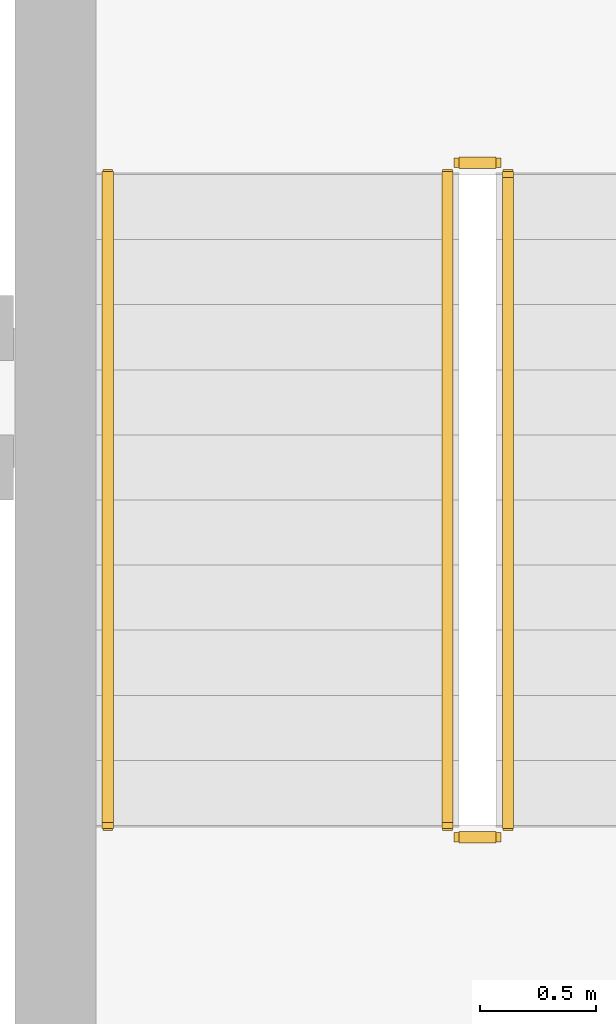
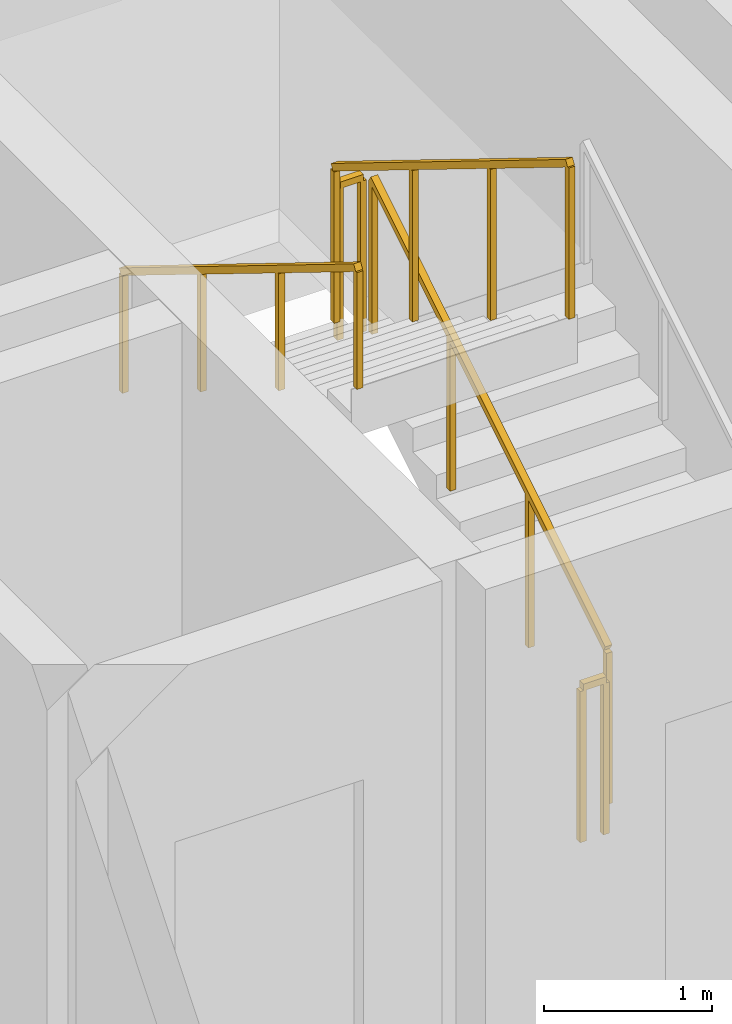
# One storey, part 14 of 15: 5 railings.
"""IFC4 building model written with IfcOpenShell, lengths in metres."""

from ifc_helpers import new_model, si_unit, direction, frame, origin, origin_2d, place, context, subcontext, project, spatial, rectangle, extrude, material, type_object, element, save


model = new_model("IFC4")

# Units and contexts
model_context = context("Model", 3, precision=1e-05, world=origin(), true_north=direction((0.0, 1.0)))
body_context = subcontext(model_context, "Body", "Model", "MODEL_VIEW")
ifc_project = project(units=[si_unit("LENGTHUNIT", "METRE"), si_unit("AREAUNIT", "SQUARE_METRE"), si_unit("VOLUMEUNIT", "CUBIC_METRE"), si_unit("PLANEANGLEUNIT", "RADIAN"), si_unit("MASSUNIT", "GRAM", prefix="KILO")], contexts=[model_context])

# Site, building, storey
site_placement = place(None, origin())
site = spatial("IfcSite", under=ifc_project, at=site_placement, CompositionType="ELEMENT")
building_placement = place(site_placement, origin())
building = spatial("IfcBuilding", under=site, at=building_placement, Name="Kaelvorn Grand Hotel", CompositionType="ELEMENT")
storey_placement = place(building_placement, frame((0.0, 0.0, 177.14990234375)))
storey = spatial("IfcBuildingStorey", under=building, at=storey_placement, Name="L43", CompositionType="ELEMENT", Elevation=177.14990234375)

# Railings
ifc_material = material(Name="Stainless Steel", Category="steel")
railing_type_1 = type_object("IfcRailingType", Name="RL-HANDRAIL-900", PredefinedType="HANDRAIL", material=ifc_material)
railing_1_placement = place(storey_placement, frame((63.3701171875, 44.56005859375, 2.07275390625)))
element("IfcRailing", 1, at=railing_1_placement, inside=storey, type_object=railing_type_1, Name="L43 ST3 stair handrail 2", PredefinedType="HANDRAIL", context=body_context, shape_type="SweptSolid", body=[
    extrude(rectangle(XDim=0.048095703125, YDim=0.048095703125, at=origin_2d()), frame((0.0, 0.0, 0.8759765625), z_axis=(0.0, -0.851089632645, 0.525020415988), x_axis=(1.0, 0.0, 0.0)), (0.0, 0.0, 1.0), 3.2900390625),
    extrude(rectangle(XDim=0.0419921875, YDim=0.0419921875, at=origin_2d()), origin(), (0.0, 0.0, 1.0), 0.851806640625),
    extrude(rectangle(XDim=0.0419921875, YDim=0.0419921875, at=origin_2d()), frame((0.0, -0.933349609375, 0.57568359375)), (0.0, 0.0, 1.0), 0.851806640625),
    extrude(rectangle(XDim=0.0419921875, YDim=0.0419921875, at=origin_2d()), frame((0.0, -1.86669921875, 1.151611328125)), (0.0, 0.0, 1.0), 0.851806640625),
    extrude(rectangle(XDim=0.0419921875, YDim=0.0419921875, at=origin_2d()), frame((0.0, -2.800048828125, 1.727294921875)), (0.0, 0.0, 1.0), 0.851806640625),
])
railing_type_2 = type_object("IfcRailingType", Name="RL-STAIR-GUARD-1150", PredefinedType="BALUSTRADE", material=ifc_material)
railing_2_placement = place(storey_placement, frame((65.090087890625, 41.760009765625, 0.1728515625)))
element("IfcRailing", 2, at=railing_2_placement, inside=storey, type_object=railing_type_2, Name="L43 ST3 stair guard 1", PredefinedType="BALUSTRADE", context=body_context, shape_type="SweptSolid", body=[
    extrude(rectangle(XDim=0.048095703125, YDim=0.048095703125, at=origin_2d()), frame((0.0, 0.0, 1.1259765625), z_axis=(0.0, 0.851089632645, 0.525020415988), x_axis=(-1.0, 0.0, 0.0)), (0.0, 0.0, 1.0), 3.2900390625),
    extrude(rectangle(XDim=0.0419921875, YDim=0.0419921875, at=origin_2d()), origin(), (0.0, 0.0, 1.0), 1.101806640625),
    extrude(rectangle(XDim=0.0419921875, YDim=0.0419921875, at=origin_2d()), frame((0.0, 0.933349609375, 0.57568359375)), (0.0, 0.0, 1.0), 1.101806640625),
    extrude(rectangle(XDim=0.0419921875, YDim=0.0419921875, at=origin_2d()), frame((0.0, 1.86669921875, 1.151611328125)), (0.0, 0.0, 1.0), 1.101806640625),
    extrude(rectangle(XDim=0.0419921875, YDim=0.0419921875, at=origin_2d()), frame((0.0, 2.800048828125, 1.727294921875)), (0.0, 0.0, 1.0), 1.101806640625),
])
railing_3_placement = place(storey_placement, frame((65.0400390625, 44.610107421875, 1.900146484375)))
element("IfcRailing", 3, at=railing_3_placement, inside=storey, type_object=railing_type_2, Name="L43 ST3 stair guard 2", PredefinedType="BALUSTRADE", context=body_context, shape_type="SweptSolid", body=[
    extrude(rectangle(XDim=0.048095703125, YDim=0.048095703125, at=origin_2d()), frame((0.0, 0.0, 1.1259765625), z_axis=(-1.0, 0.0, 0.0), x_axis=(0.0, -1.0, 0.0)), (0.0, 0.0, 1.0), 0.16015625),
    extrude(rectangle(XDim=0.0419921875, YDim=0.0419921875, at=origin_2d()), origin(), (0.0, 0.0, 1.0), 1.101806640625),
    extrude(rectangle(XDim=0.0419921875, YDim=0.0419921875, at=origin_2d()), frame((-0.16015625, 0.0, 0.0)), (0.0, 0.0, 1.0), 1.101806640625),
])
railing_4_placement = place(storey_placement, frame((64.830078125, 44.56005859375, 2.07275390625)))
element("IfcRailing", 4, at=railing_4_placement, inside=storey, type_object=railing_type_2, Name="L43 ST3 stair guard 3", PredefinedType="BALUSTRADE", context=body_context, shape_type="SweptSolid", body=[
    extrude(rectangle(XDim=0.048095703125, YDim=0.048095703125, at=origin_2d()), frame((0.0, 0.0, 1.1259765625), z_axis=(0.0, -0.851089632645, 0.525020415988), x_axis=(1.0, 0.0, 0.0)), (0.0, 0.0, 1.0), 3.2900390625),
    extrude(rectangle(XDim=0.0419921875, YDim=0.0419921875, at=origin_2d()), origin(), (0.0, 0.0, 1.0), 1.101806640625),
    extrude(rectangle(XDim=0.0419921875, YDim=0.0419921875, at=origin_2d()), frame((0.0, -0.933349609375, 0.57568359375)), (0.0, 0.0, 1.0), 1.101806640625),
    extrude(rectangle(XDim=0.0419921875, YDim=0.0419921875, at=origin_2d()), frame((0.0, -1.86669921875, 1.151611328125)), (0.0, 0.0, 1.0), 1.101806640625),
    extrude(rectangle(XDim=0.0419921875, YDim=0.0419921875, at=origin_2d()), frame((0.0, -2.800048828125, 1.727294921875)), (0.0, 0.0, 1.0), 1.101806640625),
])
railing_5_placement = place(storey_placement, frame((65.0400390625, 41.7099609375, 0.0)))
element("IfcRailing", 5, at=railing_5_placement, inside=storey, type_object=railing_type_2, Name="L43 ST3 stair guard 4", PredefinedType="BALUSTRADE", context=body_context, shape_type="SweptSolid", body=[
    extrude(rectangle(XDim=0.048095703125, YDim=0.048095703125, at=origin_2d()), frame((0.0, 0.0, 1.1259765625), z_axis=(-1.0, 0.0, 0.0), x_axis=(0.0, -1.0, 0.0)), (0.0, 0.0, 1.0), 0.16015625),
    extrude(rectangle(XDim=0.0419921875, YDim=0.0419921875, at=origin_2d()), origin(), (0.0, 0.0, 1.0), 1.101806640625),
    extrude(rectangle(XDim=0.0419921875, YDim=0.0419921875, at=origin_2d()), frame((-0.16015625, 0.0, 0.0)), (0.0, 0.0, 1.0), 1.101806640625),
])

save(model, "model.ifc")
